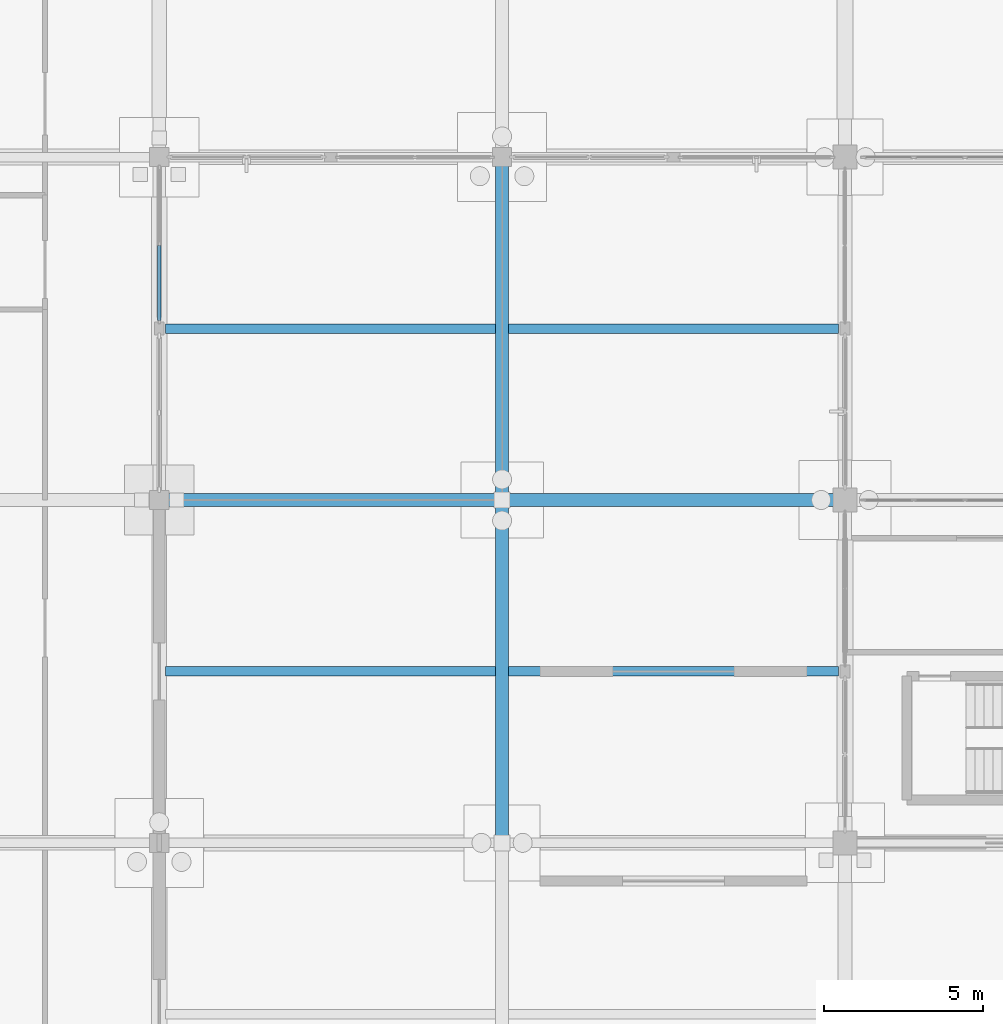
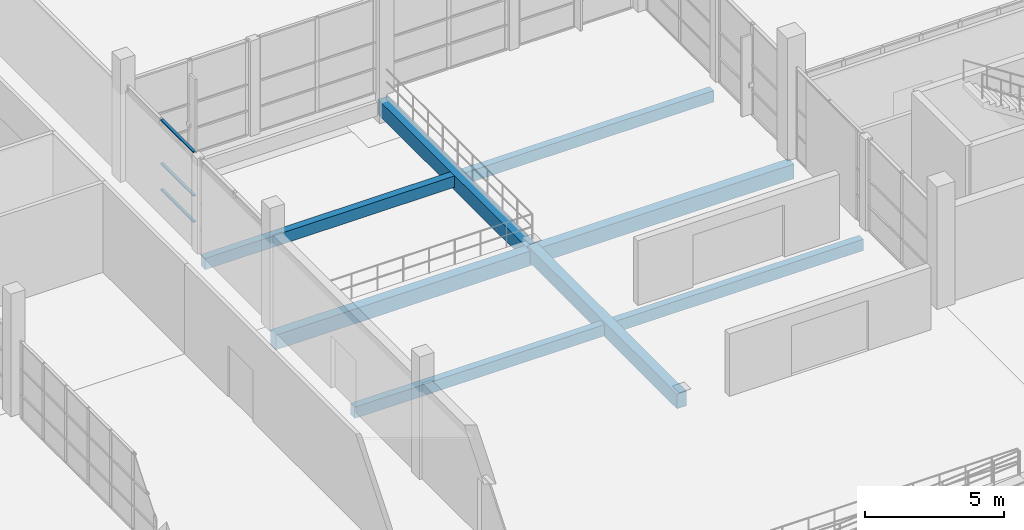
# One storey, part 29 of 138: 8 beams, 3 members, 1 element without a shape of its own.
"""IFC4 building model written with IfcOpenShell, lengths in metres."""

from ifc_helpers import new_model, si_unit, direction, frame, origin, origin_2d, place, context, subcontext, project, spatial, rectangle, extrude, material, material_profile, profile_set, type_object, element, aggregate, save


model = new_model("IFC4")

# Units and contexts
model_context = context("Model", 3, precision=1e-05, world=origin(), true_north=direction((0.0, 1.0)))
body_context = subcontext(model_context, "Body", "Model", "MODEL_VIEW")
ifc_project = project(units=[si_unit("LENGTHUNIT", "METRE"), si_unit("AREAUNIT", "SQUARE_METRE"), si_unit("VOLUMEUNIT", "CUBIC_METRE"), si_unit("PLANEANGLEUNIT", "RADIAN"), si_unit("MASSUNIT", "GRAM", prefix="KILO")], contexts=[model_context])

# Site, building, storey
site_placement = place(None, origin())
site = spatial("IfcSite", under=ifc_project, at=site_placement, CompositionType="ELEMENT")
building_placement = place(site_placement, origin())
building = spatial("IfcBuilding", under=site, at=building_placement, Name="Zwinboog Wholesale Market", CompositionType="ELEMENT")
storey_placement = place(building_placement, origin())
storey = spatial("IfcBuildingStorey", under=building, at=storey_placement, Name="L00", CompositionType="ELEMENT", Elevation=0.0)

# Beams
ifc_material_1 = material(Name="Precast concrete C45/55", Category="concrete")
ifc_material_profile_1 = material_profile(ifc_material_1, rectangle(XDim=0.39990234375, YDim=0.64990234375, at=origin_2d()), Name="PC 400x650")
ifc_profile_set_1 = profile_set([ifc_material_profile_1], Name="Precast concrete C45/55")
beam_type_1 = type_object("IfcBeamType", Name="BT-05", PredefinedType="BEAM", material=ifc_profile_set_1)
for number, where, z_axis, x_axis, name in (
    (1, (43.199951171875, 54.0, -0.675048828125), (1.0, 0.0, 0.0), (0.0, 1.0, 0.0), "BG-05 (BM-TER-L00-0010)"),
    (2, (54.0, 54.0, -0.68994140625), (1.0, 0.0, 0.0), (0.0, 1.0, 0.0), "BG-05 (BM-TER-L00-0011)"),
    (3, (54.0, 43.199951171875, -0.554931640625), (0.0, 1.0, 0.0), (-1.0, 0.0, 0.0), "BG-05 (BM-TER-L00-0017)"),
    (4, (54.0, 54.0, -0.659912109375), (0.0, 1.0, 0.0), (-1.0, 0.0, 0.0), "BG-05 (BM-TER-L00-0018)"),
):
    element("IfcBeam", number, at=place(storey_placement, frame(where, z_axis=z_axis, x_axis=x_axis)), inside=storey, type_object=beam_type_1, Name=name, PredefinedType="BEAM", context=body_context, shape_type="SweptSolid", body=[
        extrude(rectangle(XDim=0.39990234375, YDim=0.64990234375, at=origin_2d()), origin(), (0.0, 0.0, 1.0), 10.800048828125),
    ])
ifc_material_profile_2 = material_profile(ifc_material_1, rectangle(XDim=0.300048828125, YDim=0.5, at=origin_2d()), Name="PC 300x500")
ifc_profile_set_2 = profile_set([ifc_material_profile_2], Name="Precast concrete C45/55")
beam_type_2 = type_object("IfcBeamType", Name="BT-10", PredefinedType="JOIST", material=ifc_profile_set_2)
for number, where, z_axis, x_axis, name in (
    (5, (43.39990234375, 48.60009765625, -0.60009765625), (1.0, 0.0, 0.0), (0.0, 1.0, 0.0), "BJ-01 (BM-TER-L00-0031)"),
    (6, (43.39990234375, 59.39990234375, -0.592041015625), (1.0, 0.0, 0.0), (0.0, 1.0, 0.0), "BJ-01 (BM-TER-L00-0032)"),
    (7, (54.199951171875, 48.60009765625, -0.614990234375), (1.0, 0.0, 0.0), (0.0, 1.0, 0.0), "BJ-01 (BM-TER-L00-0034)"),
    (8, (54.199951171875, 59.39990234375, -0.614990234375), (1.0, 0.0, 0.0), (0.0, 1.0, 0.0), "BJ-01 (BM-TER-L00-0035)"),
):
    element("IfcBeam", number, at=place(storey_placement, frame(where, z_axis=z_axis, x_axis=x_axis)), inside=storey, type_object=beam_type_2, Name=name, PredefinedType="JOIST", context=body_context, shape_type="SweptSolid", body=[
        extrude(rectangle(XDim=0.300048828125, YDim=0.5, at=origin_2d()), origin(), (0.0, 0.0, 1.0), 10.400146484375),
    ])

# Curtain wall, members
ifc_material_2 = material(Name="Aluminium thermally broken curtain wall", Category="aluminium")
curtain_wall_type = type_object("IfcCurtainWallType", Name="CWT-STALL-20", PredefinedType="USERDEFINED", material=ifc_material_2)
curtain_wall_placement = place(storey_placement, origin())
curtain_wall = element("IfcCurtainWall", 9, at=curtain_wall_placement, inside=storey, type_object=curtain_wall_type, Name="CW-02 (CW-L00-026)", ObjectType="STOREFRONT_GLAZING", PredefinedType="USERDEFINED")
ifc_material_3 = material(Name="Aluminium EN AW-6060", Category="aluminium")
ifc_material_profile_3 = material_profile(ifc_material_3, rectangle(XDim=0.110107421875, YDim=0.06005859375, at=origin_2d()), Name="AL 60x110")
ifc_profile_set_3 = profile_set([ifc_material_profile_3], Name="Aluminium EN AW-6060")
member_type = type_object("IfcMemberType", Name="CWT-60x110", PredefinedType="USERDEFINED", material=ifc_profile_set_3)
member_1_placement = place(storey_placement, frame((43.199951171875, 59.659912109375, 1.10009765625), z_axis=(0.0, 1.0, 0.0), x_axis=(-1.0, 0.0, 0.0)))
member_1 = element("IfcMember", 10, at=member_1_placement, type_object=member_type, Name="CW-02 transom 1.2", ObjectType="TRANSOM", PredefinedType="USERDEFINED", context=body_context, shape_type="SweptSolid", body=[
    extrude(rectangle(XDim=0.110107421875, YDim=0.06005859375, at=origin_2d()), origin(), (0.0, 0.0, 1.0), 2.362548828125),
])
member_2_placement = place(storey_placement, frame((43.199951171875, 59.659912109375, 2.25), z_axis=(0.0, 1.0, 0.0), x_axis=(-1.0, 0.0, 0.0)))
member_2 = element("IfcMember", 11, at=member_2_placement, type_object=member_type, Name="CW-02 transom 1.3", ObjectType="TRANSOM", PredefinedType="USERDEFINED", context=body_context, shape_type="SweptSolid", body=[
    extrude(rectangle(XDim=0.110107421875, YDim=0.06005859375, at=origin_2d()), origin(), (0.0, 0.0, 1.0), 2.362548828125),
])
member_3_placement = place(storey_placement, frame((43.199951171875, 59.659912109375, 4.16796875), z_axis=(0.0, 1.0, 0.0), x_axis=(-1.0, 0.0, 0.0)))
member_3 = element("IfcMember", 12, at=member_3_placement, type_object=member_type, Name="CW-02 transom 1.4", ObjectType="TRANSOM", PredefinedType="USERDEFINED", context=body_context, shape_type="SweptSolid", body=[
    extrude(rectangle(XDim=0.110107421875, YDim=0.06005859375, at=origin_2d()), origin(), (0.0, 0.0, 1.0), 2.362548828125),
])
aggregate(curtain_wall, [member_1, member_2, member_3])

save(model, "model.ifc")
